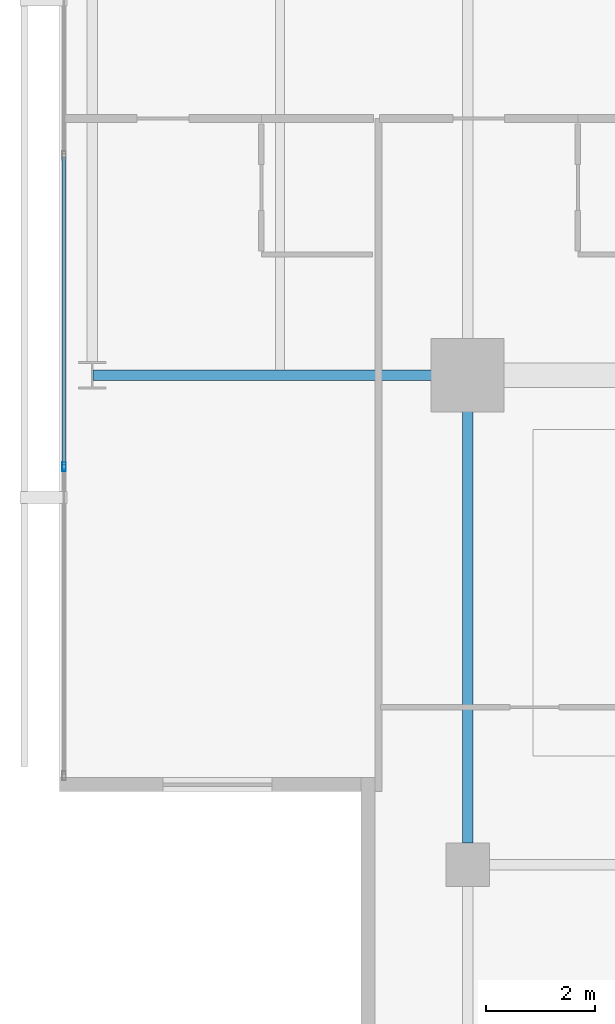
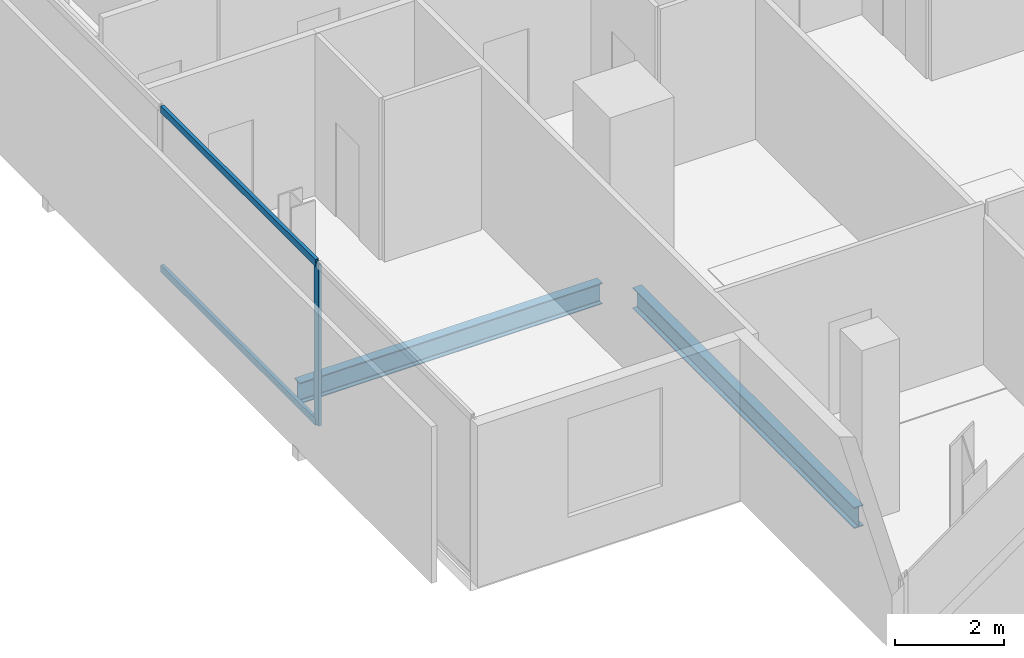
# One storey, part 4 of 24: 3 members, 2 beams, 1 element without a shape of its own.
"""IFC4 building model written with IfcOpenShell, lengths in metres."""

from ifc_helpers import new_model, si_unit, direction, frame, origin, origin_2d, place, context, subcontext, project, spatial, hollow_rectangle, i_section, extrude, material, layer, layer_set, material_profile, profile_set, type_object, element, aggregate, save


model = new_model("IFC4")

# Units and contexts
model_context = context("Model", 3, precision=1e-05, world=origin(), true_north=direction((0.0, 1.0)))
body_context = subcontext(model_context, "Body", "Model", "MODEL_VIEW")
ifc_project = project(units=[si_unit("LENGTHUNIT", "METRE"), si_unit("AREAUNIT", "SQUARE_METRE"), si_unit("VOLUMEUNIT", "CUBIC_METRE"), si_unit("PLANEANGLEUNIT", "RADIAN"), si_unit("MASSUNIT", "GRAM", prefix="KILO")], contexts=[model_context])

# Site, building, storey
site_placement = place(None, origin())
site = spatial("IfcSite", under=ifc_project, at=site_placement, CompositionType="ELEMENT")
building_placement = place(site_placement, origin())
building = spatial("IfcBuilding", under=site, at=building_placement, Name="Maruvema Waterfront Hotel and Observation Tower", CompositionType="ELEMENT")
storey_placement = place(building_placement, frame((0.0, 0.0, 329.699951171875)))
storey = spatial("IfcBuildingStorey", under=building, at=storey_placement, Name="L81", CompositionType="ELEMENT", Elevation=329.699951171875)

# Curtain wall, members
ifc_material_1 = material(Name="Anodised bronze aluminium and solar-control low-E IGU", Category="aluminium")
ifc_layer = layer(ifc_material_1, 0.159912109375, Name="Zone 4 Sky Residence Inner Curtain Wall System CW-05")
ifc_layer_set = layer_set([ifc_layer], Name="Anodised bronze aluminium and solar-control low-E IGU")
curtain_wall_type = type_object("IfcCurtainWallType", Name="Zone 4 Sky Residence Inner Curtain Wall System CW-05", PredefinedType="USERDEFINED", material=ifc_layer_set)
curtain_wall_placement = place(storey_placement, origin())
curtain_wall = element("IfcCurtainWall", 1, at=curtain_wall_placement, inside=storey, type_object=curtain_wall_type, Name="L81 Curtain Wall CW-L81-W", ObjectType="UNITISED CURTAIN WALL", PredefinedType="USERDEFINED")
ifc_material_2 = material(Name="Anodised architectural bronze aluminium", Category="aluminium")
ifc_material_profile_1 = material_profile(ifc_material_2, hollow_rectangle(XDim=0.070068359375, YDim=0.14990234375, WallThickness=0.00390625, at=origin_2d()), Name="ALU-T70x150")
ifc_profile_set_1 = profile_set([ifc_material_profile_1], Name="Anodised architectural bronze aluminium")
member_type_1 = type_object("IfcMemberType", Name="Curtain Wall Horizontal Transom ALU-T70x150", PredefinedType="USERDEFINED", material=ifc_profile_set_1)
member_1_placement = place(storey_placement, frame((17.780029296875, 31.010009765625, 0.030029296875), z_axis=(0.0, -1.0, 0.0), x_axis=(1.0, 0.0, 0.0)))
member_1 = element("IfcMember", 2, at=member_1_placement, type_object=member_type_1, Name="CW-05 transom 4.1", ObjectType="TRANSOM", PredefinedType="USERDEFINED", context=body_context, shape_type="SweptSolid", body=[
    extrude(hollow_rectangle(XDim=0.070068359375, YDim=0.14990234375, WallThickness=0.00390625, at=origin_2d()), origin(), (0.0, 0.0, 1.0), 5.659912109375),
])
member_2_placement = place(storey_placement, frame((17.780029296875, 31.010009765625, 3.580078125), z_axis=(0.0, -1.0, 0.0), x_axis=(1.0, 0.0, 0.0)))
member_2 = element("IfcMember", 3, at=member_2_placement, type_object=member_type_1, Name="CW-05 transom 4.2", ObjectType="TRANSOM", PredefinedType="USERDEFINED", context=body_context, shape_type="SweptSolid", body=[
    extrude(hollow_rectangle(XDim=0.070068359375, YDim=0.14990234375, WallThickness=0.00390625, at=origin_2d()), origin(), (0.0, 0.0, 1.0), 5.659912109375),
])
ifc_material_3 = material(Name="Anodised architectural bronze aluminium", Category="aluminium")
ifc_material_profile_2 = material_profile(ifc_material_3, hollow_rectangle(XDim=0.06494140625, YDim=0.1650390625, WallThickness=0.00390625, at=origin_2d()), Name="ALU-M65x165")
ifc_profile_set_2 = profile_set([ifc_material_profile_2], Name="Anodised architectural bronze aluminium")
member_type_2 = type_object("IfcMemberType", Name="Curtain Wall Primary Mullion ALU-M65x165", PredefinedType="MULLION", material=ifc_profile_set_2)
member_3_placement = place(storey_placement, frame((17.780029296875, 25.320068359375, 0.0), z_axis=(0.0, 0.0, 1.0), x_axis=(1.0, 0.0, 0.0)))
member_3 = element("IfcMember", 4, at=member_3_placement, type_object=member_type_2, Name="CW-05 mullion 5", PredefinedType="MULLION", context=body_context, shape_type="SweptSolid", body=[
    extrude(hollow_rectangle(XDim=0.06494140625, YDim=0.1650390625, WallThickness=0.00390625, at=origin_2d()), origin(), (0.0, 0.0, 1.0), 3.610107421875),
])
aggregate(curtain_wall, [member_3, member_1, member_2])

# Beams
ifc_material_4 = material(Name="Steel ASTM A572 Grade 50", Category="steel")
ifc_material_profile_3 = material_profile(ifc_material_4, i_section(OverallWidth=0.194091796875, OverallDepth=0.468994140625, WebThickness=0.0126953125, FlangeThickness=0.0205078125, FilletRadius=0.014892578125, at=origin_2d()), Name="W460x106.0")
ifc_profile_set_3 = profile_set([ifc_material_profile_3], Name="Steel ASTM A572 Grade 50")
beam_type = type_object("IfcBeamType", Name="Primary Floor Girder W460x106.0", PredefinedType="BEAM", material=ifc_profile_set_3)
beam_1_placement = place(storey_placement, frame((18.31103515625, 27.0, -0.474365234375), z_axis=(1.0, 0.0, 0.0), x_axis=(0.0, 1.0, 0.0)))
element("IfcBeam", 5, at=beam_1_placement, inside=storey, type_object=beam_type, Name="L81 Floor Girder EW-07", PredefinedType="BEAM", context=body_context, shape_type="SweptSolid", body=[
    extrude(i_section(OverallWidth=0.194091796875, OverallDepth=0.468994140625, WebThickness=0.0126953125, FlangeThickness=0.0205078125, FilletRadius=0.014892578125, at=origin_2d()), origin(), (0.0, 0.0, 1.0), 6.388916015625),
])
beam_2_placement = place(storey_placement, frame((25.199951171875, 18.39990234375, -0.474365234375), z_axis=(0.0, 1.0, 0.0), x_axis=(-1.0, 0.0, 0.0)))
element("IfcBeam", 6, at=beam_2_placement, inside=storey, type_object=beam_type, Name="L81 Floor Girder NS-04", PredefinedType="BEAM", context=body_context, shape_type="SweptSolid", body=[
    extrude(i_section(OverallWidth=0.194091796875, OverallDepth=0.468994140625, WebThickness=0.0126953125, FlangeThickness=0.0205078125, FilletRadius=0.014892578125, at=origin_2d()), origin(), (0.0, 0.0, 1.0), 8.10009765625),
])

save(model, "model.ifc")
